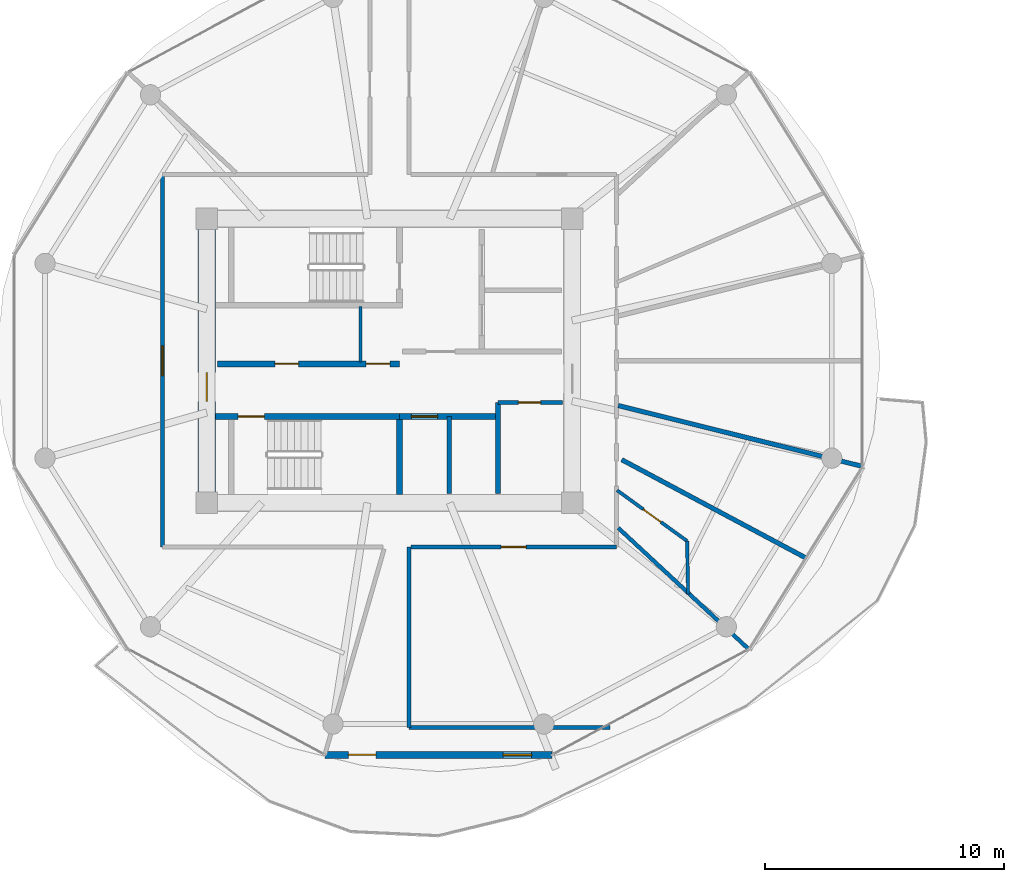
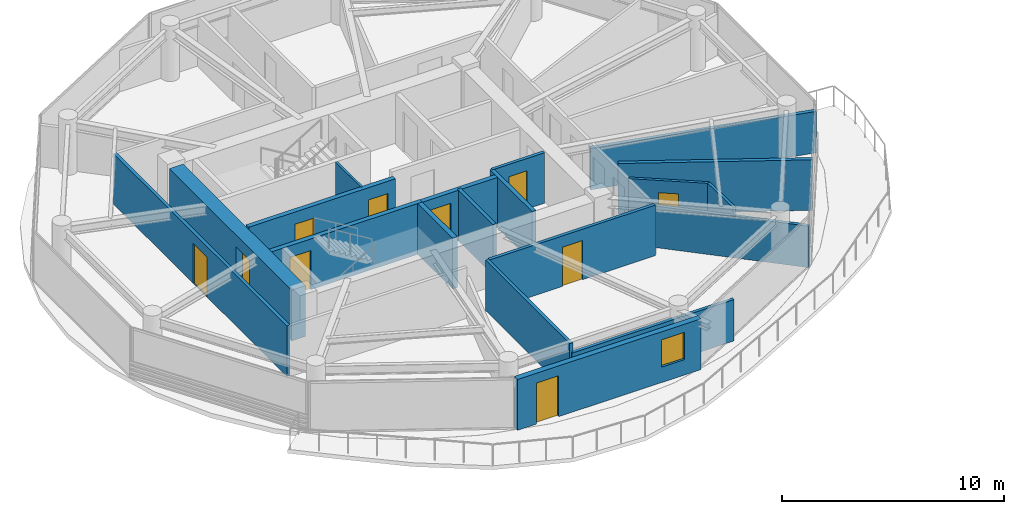
# One storey, part 13 of 24: 19 walls, 10 doors, 1 window, 11 openings.
"""IFC4 building model written with IfcOpenShell, lengths in metres."""

from ifc_helpers import new_model, si_unit, direction, frame, frame_2d, origin, place, context, subcontext, project, spatial, rectangle, extrude, source, transform, mapped, material, layer, layer_set, type_object, type_shapes, element, fill, save


model = new_model("IFC4")

# Units and contexts
model_context = context("Model", 3, precision=1e-05, world=origin(), true_north=direction((0.0, 1.0)))
body_context = subcontext(model_context, "Body", "Model", "MODEL_VIEW")
ifc_project = project(units=[si_unit("LENGTHUNIT", "METRE"), si_unit("AREAUNIT", "SQUARE_METRE"), si_unit("VOLUMEUNIT", "CUBIC_METRE"), si_unit("PLANEANGLEUNIT", "RADIAN"), si_unit("MASSUNIT", "GRAM", prefix="KILO")], contexts=[model_context])

# Site, building, storey
site_placement = place(None, origin())
site = spatial("IfcSite", under=ifc_project, at=site_placement, CompositionType="ELEMENT")
building_placement = place(site_placement, origin())
building = spatial("IfcBuilding", under=site, at=building_placement, Name="Norrkilde Senior Care Towers", CompositionType="ELEMENT")
storey_placement = place(building_placement, frame((0.0, 0.0, 117.60009765625)))
storey = spatial("IfcBuildingStorey", under=building, at=storey_placement, Name="L36", CompositionType="ELEMENT", Elevation=117.60009765625)

# Wall, opening, door
ifc_material_1 = material(Name="Concrete C60/75", Category="concrete")
ifc_layer_1 = layer(ifc_material_1, 0.719970703125)
ifc_layer_set_1 = layer_set([ifc_layer_1], Name="Concrete C60/75")
wall_type_1 = type_object("IfcWallType", Name="Core Shear Wall Z2 720", PredefinedType="SHEAR", material=ifc_layer_set_1)
shared_shape_1 = source(origin(), body_context, "Body", "SweptSolid", [
    extrude(rectangle(XDim=11.0, YDim=0.719970703125, at=frame_2d((5.5, 0.0))), origin(), (0.0, 0.0, 1.0), 2.789794921875),
])
type_shapes(wall_type_1, [shared_shape_1])
wall_1_placement = place(storey_placement, frame((-35.64990234375, -5.5, 0.0), z_axis=(0.0, 0.0, 1.0), x_axis=(0.0, 1.0, 0.0)))
wall_1 = element("IfcWall", 1, at=wall_1_placement, inside=storey, type_object=wall_type_1, Name="L36 Core W West Shear Wall", PredefinedType="SHEAR", context=body_context, shape_type="MappedRepresentation", body=[
    mapped(shared_shape_1, transform((0.0, 0.0, 0.0), x_axis=(1.0, 0.0, 0.0), y_axis=(0.0, 1.0, 0.0), z_axis=(0.0, 0.0, 1.0), scale=1.0)),
])
opening_1_placement = place(wall_1_placement, frame((3.800048828125, 0.0, 0.0)))
opening_1 = element("IfcOpeningElement", 2, at=opening_1_placement, cuts=wall_1, Name="Opening D-04", PredefinedType="OPENING", context=body_context, shape_type="SweptSolid", body=[
    extrude(rectangle(XDim=1.199951171875, YDim=2.14990234375, at=frame_2d((0.60009765625, 1.074951171875))), frame((0.0, 0.369873046875, 0.0), z_axis=(0.0, -1.0, 0.0), x_axis=(1.0, 0.0, 0.0)), (0.0, 0.0, 1.0), 0.739990234375),
])
ifc_material_2 = material(Name="Galvanised Painted Steel", Category="steel")
door_type_1 = type_object("IfcDoorType", Name="Firefighting Lobby Fire Door 1200x2150", OperationType="NOTDEFINED", PredefinedType="DOOR", material=ifc_material_2)
shared_shape_2 = source(origin(), body_context, "Body", "SweptSolid", [
    extrude(rectangle(XDim=1.199951171875, YDim=2.14990234375, at=frame_2d((0.60009765625, 1.074951171875))), frame((0.0, 0.02490234375, 0.0), z_axis=(0.0, -1.0, 0.0), x_axis=(1.0, 0.0, 0.0)), (0.0, 0.0, 1.0), 0.050048828125),
])
type_shapes(door_type_1, [shared_shape_2])
door_1_placement = place(opening_1_placement, frame((1.199951171875, 0.0, 0.0), z_axis=(0.0, 0.0, 1.0), x_axis=(-1.0, 0.0, 0.0)))
door_1 = element("IfcDoor", 3, at=door_1_placement, inside=storey, type_object=door_type_1, Name="L36 Core W West Portal Door", OperationType="SINGLE_SWING_LEFT", OverallHeight=2.14990234375, OverallWidth=1.199951171875, PredefinedType="DOOR", context=body_context, shape_type="MappedRepresentation", body=[
    mapped(shared_shape_2, transform((0.0, 0.0, 0.0), x_axis=(1.0, 0.0, 0.0), y_axis=(0.0, 1.0, 0.0), z_axis=(0.0, 0.0, 1.0), scale=1.0)),
])
fill(opening_1, door_1)

# Wall, openings, door, window
ifc_material_3 = material(Name="Precast concrete C45/55", Category="concrete")
ifc_layer_2 = layer(ifc_material_3, 0.2900390625)
ifc_layer_set_2 = layer_set([ifc_layer_2], Name="Precast concrete C45/55")
wall_type_2 = type_object("IfcWallType", Name="Winter Garden Facade Wall 290", PredefinedType="SOLIDWALL", material=ifc_layer_set_2)
shared_shape_3 = source(origin(), body_context, "Body", "SweptSolid", [
    extrude(rectangle(XDim=9.51416015625, YDim=0.2900390625, at=frame_2d((4.757080078125, 0.0))), origin(), (0.0, 0.0, 1.0), 2.789794921875),
])
type_shapes(wall_type_2, [shared_shape_3])
wall_2_placement = place(storey_placement, frame((-21.19287109375, -16.498046875, 0.0), z_axis=(0.0, 0.0, 1.0), x_axis=(-1.0, 0.0, 0.0)))
wall_2 = element("IfcWall", 4, at=wall_2_placement, inside=storey, type_object=wall_type_2, Name="L36 Drum W Balcony Access Wall 08", PredefinedType="SOLIDWALL", context=body_context, shape_type="MappedRepresentation", body=[
    mapped(shared_shape_3, transform((0.0, 0.0, 0.0), x_axis=(1.0, 0.0, 0.0), y_axis=(0.0, 1.0, 0.0), z_axis=(0.0, 0.0, 1.0), scale=1.0)),
])
opening_2_placement = place(wall_2_placement, frame((7.3798828125, 0.0, 0.0)))
opening_2 = element("IfcOpeningElement", 5, at=opening_2_placement, cuts=wall_2, Name="Opening D-09", PredefinedType="OPENING", context=body_context, shape_type="SweptSolid", body=[
    extrude(rectangle(XDim=1.14990234375, YDim=2.25, at=frame_2d((0.574951171875, 1.125))), frame((0.0, 0.155029296875, 0.0), z_axis=(0.0, -1.0, 0.0), x_axis=(1.0, 0.0, 0.0)), (0.0, 0.0, 1.0), 0.31005859375),
])
opening_3_placement = place(wall_2_placement, frame((0.85009765625, 0.0, 0.85009765625)))
opening_3 = element("IfcOpeningElement", 6, at=opening_3_placement, cuts=wall_2, Name="Opening WN-07", PredefinedType="OPENING", context=body_context, shape_type="SweptSolid", body=[
    extrude(rectangle(XDim=1.199951171875, YDim=1.5, at=frame_2d((0.60009765625, 0.75))), frame((0.0, 0.155029296875, 0.0), z_axis=(0.0, -1.0, 0.0), x_axis=(1.0, 0.0, 0.0)), (0.0, 0.0, 1.0), 0.31005859375),
])
ifc_material_4 = material(Name="Anodised Aluminium", Category="aluminium")
door_type_2 = type_object("IfcDoorType", Name="Terrace and Balcony Glazed Door 1150x2250", OperationType="NOTDEFINED", PredefinedType="DOOR", material=ifc_material_4)
shared_shape_4 = source(origin(), body_context, "Body", "SweptSolid", [
    extrude(rectangle(XDim=1.14990234375, YDim=2.25, at=frame_2d((0.574951171875, 1.125))), frame((0.0, 0.02490234375, 0.0), z_axis=(0.0, -1.0, 0.0), x_axis=(1.0, 0.0, 0.0)), (0.0, 0.0, 1.0), 0.050048828125),
])
type_shapes(door_type_2, [shared_shape_4])
door_2_placement = place(opening_2_placement, origin())
door_2 = element("IfcDoor", 7, at=door_2_placement, inside=storey, type_object=door_type_2, Name="L36 Drum W Outdoor Terrace Door 08", OperationType="SINGLE_SWING_LEFT", OverallHeight=2.25, OverallWidth=1.14990234375, PredefinedType="DOOR", context=body_context, shape_type="MappedRepresentation", body=[
    mapped(shared_shape_4, transform((0.0, 0.0, 0.0), x_axis=(1.0, 0.0, 0.0), y_axis=(0.0, 1.0, 0.0), z_axis=(0.0, 0.0, 1.0), scale=1.0)),
])
fill(opening_2, door_2)
ifc_material_5 = material(Name="Triple Low-E Insulated Glazing", Category="glass")
window_type = type_object("IfcWindowType", Name="Stairwell Smoke Vent Window 1200x1500", PartitioningType="SINGLE_PANEL", PredefinedType="WINDOW", material=ifc_material_5)
shared_shape_5 = source(origin(), body_context, "Body", "SweptSolid", [
    extrude(rectangle(XDim=1.199951171875, YDim=1.5, at=frame_2d((0.60009765625, 0.75))), frame((0.0, 0.030029296875, 0.0), z_axis=(0.0, -1.0, 0.0), x_axis=(1.0, 0.0, 0.0)), (0.0, 0.0, 1.0), 0.06005859375),
])
type_shapes(window_type, [shared_shape_5])
window_placement = place(opening_3_placement, origin())
window = element("IfcWindow", 8, at=window_placement, inside=storey, type_object=window_type, Name="L36 Drum W Winter Garden Window 08", OverallHeight=1.5, OverallWidth=1.199951171875, PartitioningType="SINGLE_PANEL", PredefinedType="WINDOW", context=body_context, shape_type="MappedRepresentation", body=[
    mapped(shared_shape_5, transform((0.0, 0.0, 0.0), x_axis=(1.0, 0.0, 0.0), y_axis=(0.0, 1.0, 0.0), z_axis=(0.0, 0.0, 1.0), scale=1.0)),
])
fill(opening_3, window)

# Wall, openings, doors
ifc_material_6 = material(Name="Concrete C45/55", Category="concrete")
ifc_layer_3 = layer(ifc_material_6, 0.239990234375)
ifc_layer_set_3 = layer_set([ifc_layer_3], Name="Concrete C45/55")
wall_type_3 = type_object("IfcWallType", Name="Lift and Plant Rated Enclosure Partition 240", PredefinedType="PARTITIONING", material=ifc_layer_set_3)
shared_shape_6 = source(origin(), body_context, "Body", "SweptSolid", [
    extrude(rectangle(XDim=7.619873046875, YDim=0.239990234375, at=frame_2d((3.81005859375, 0.0))), origin(), (0.0, 0.0, 1.0), 2.77490234375),
])
wall_3_placement = place(storey_placement, frame((-35.199951171875, -0.1298828125, 0.0), z_axis=(0.0, 0.0, 1.0), x_axis=(1.0, 0.0, 0.0)))
wall_3 = element("IfcWall", 9, at=wall_3_placement, inside=storey, type_object=wall_type_3, Name="WL-INT-L36-W-PKAS", PredefinedType="PARTITIONING", context=body_context, shape_type="MappedRepresentation", body=[
    mapped(shared_shape_6, transform((0.0, 0.0, 0.0), x_axis=(1.0, 0.0, 0.0), y_axis=(0.0, 1.0, 0.0), z_axis=(0.0, 0.0, 1.0), scale=1.0)),
])
opening_4_placement = place(wall_3_placement, frame((6.219970703125, 0.0, 0.0)))
opening_4 = element("IfcOpeningElement", 10, at=opening_4_placement, cuts=wall_3, Name="Opening D-10", PredefinedType="OPENING", context=body_context, shape_type="SweptSolid", body=[
    extrude(rectangle(XDim=1.0, YDim=2.10009765625, at=frame_2d((0.5, 1.050048828125))), frame((0.0, 0.1298828125, 0.0), z_axis=(0.0, -1.0, 0.0), x_axis=(1.0, 0.0, 0.0)), (0.0, 0.0, 1.0), 0.260009765625),
])
opening_5_placement = place(wall_3_placement, frame((2.39990234375, 0.0, 0.0)))
opening_5 = element("IfcOpeningElement", 11, at=opening_5_placement, cuts=wall_3, Name="Opening D-10", PredefinedType="OPENING", context=body_context, shape_type="SweptSolid", body=[
    extrude(rectangle(XDim=1.0, YDim=2.10009765625, at=frame_2d((0.5, 1.050048828125))), frame((0.0, 0.1298828125, 0.0), z_axis=(0.0, -1.0, 0.0), x_axis=(1.0, 0.0, 0.0)), (0.0, 0.0, 1.0), 0.260009765625),
])
door_type_3 = type_object("IfcDoorType", Name="Plant and Riser Rated Door 1000x2100", OperationType="NOTDEFINED", PredefinedType="DOOR", material=ifc_material_2)
shared_shape_7 = source(origin(), body_context, "Body", "SweptSolid", [
    extrude(rectangle(XDim=1.0, YDim=2.10009765625, at=frame_2d((0.5, 1.050048828125))), frame((0.0, 0.02490234375, 0.0), z_axis=(0.0, -1.0, 0.0), x_axis=(1.0, 0.0, 0.0)), (0.0, 0.0, 1.0), 0.050048828125),
])
type_shapes(door_type_3, [shared_shape_7])
door_3_placement = place(opening_4_placement, frame((1.0, 0.0, 0.0), z_axis=(0.0, 0.0, 1.0), x_axis=(-1.0, 0.0, 0.0)))
door_3 = element("IfcDoor", 12, at=door_3_placement, inside=storey, type_object=door_type_3, Name="L36 Electrical Riser W Door", OperationType="SINGLE_SWING_LEFT", OverallHeight=2.10009765625, OverallWidth=1.0, PredefinedType="DOOR", context=body_context, shape_type="MappedRepresentation", body=[
    mapped(shared_shape_7, transform((0.0, 0.0, 0.0), x_axis=(1.0, 0.0, 0.0), y_axis=(0.0, 1.0, 0.0), z_axis=(0.0, 0.0, 1.0), scale=1.0)),
])
fill(opening_4, door_3)
door_4_placement = place(opening_5_placement, frame((1.0, 0.0, 0.0), z_axis=(0.0, 0.0, 1.0), x_axis=(-1.0, 0.0, 0.0)))
door_4 = element("IfcDoor", 13, at=door_4_placement, inside=storey, type_object=door_type_3, Name="L36 Clean Supply Store W Door", OperationType="SINGLE_SWING_LEFT", OverallHeight=2.10009765625, OverallWidth=1.0, PredefinedType="DOOR", context=body_context, shape_type="MappedRepresentation", body=[
    mapped(shared_shape_7, transform((0.0, 0.0, 0.0), x_axis=(1.0, 0.0, 0.0), y_axis=(0.0, 1.0, 0.0), z_axis=(0.0, 0.0, 1.0), scale=1.0)),
])
fill(opening_5, door_4)

# Walls
ifc_material_7 = material(Name="Gypsum Acoustic Board")
ifc_layer_4 = layer(ifc_material_7, 0.114990234375)
ifc_layer_set_4 = layer_set([ifc_layer_4], Name="Gypsum Acoustic Board")
wall_type_4 = type_object("IfcWallType", Name="Internal Room Partition 115", PredefinedType="PARTITIONING", material=ifc_layer_set_4)
shared_shape_8 = source(origin(), body_context, "Body", "SweptSolid", [
    extrude(rectangle(XDim=2.330078125, YDim=0.114990234375, at=frame_2d((1.1650390625, 0.0))), origin(), (0.0, 0.0, 1.0), 2.77490234375),
])
type_shapes(wall_type_4, [shared_shape_8])
wall_4_placement = place(storey_placement, frame((-29.2099609375, -0.050048828125, 0.0), z_axis=(0.0, 0.0, 1.0), x_axis=(0.0, 1.0, 0.0)))
element("IfcWall", 14, at=wall_4_placement, inside=storey, type_object=wall_type_4, Name="WL-INT-L36-W-RISW", PredefinedType="PARTITIONING", context=body_context, shape_type="MappedRepresentation", body=[
    mapped(shared_shape_8, transform((0.0, 0.0, 0.0), x_axis=(1.0, 0.0, 0.0), y_axis=(0.0, 1.0, 0.0), z_axis=(0.0, 0.0, 1.0), scale=1.0)),
])
ifc_layer_5 = layer(ifc_material_6, 0.199951171875)
ifc_layer_set_5 = layer_set([ifc_layer_5], Name="Concrete C45/55")
wall_type_5 = type_object("IfcWallType", Name="Shaft Division and Plant Partition 200", PredefinedType="PARTITIONING", material=ifc_layer_set_5)
shared_shape_9 = source(origin(), body_context, "Body", "SweptSolid", [
    extrude(rectangle(XDim=3.800048828125, YDim=0.199951171875, at=frame_2d((1.89990234375, 0.0))), origin(), (0.0, 0.0, 1.0), 2.77490234375),
])
type_shapes(wall_type_5, [shared_shape_9])
wall_5_placement = place(storey_placement, frame((-23.449951171875, -5.550048828125, 0.0), z_axis=(0.0, 0.0, 1.0), x_axis=(0.0, 1.0, 0.0)))
element("IfcWall", 15, at=wall_5_placement, inside=storey, type_object=wall_type_5, Name="WL-INT-L36-W-PKBE", PredefinedType="PARTITIONING", context=body_context, shape_type="MappedRepresentation", body=[
    mapped(shared_shape_9, transform((0.0, 0.0, 0.0), x_axis=(1.0, 0.0, 0.0), y_axis=(0.0, 1.0, 0.0), z_axis=(0.0, 0.0, 1.0), scale=1.0)),
])

# Wall, opening, door
shared_shape_10 = source(origin(), body_context, "Body", "SweptSolid", [
    extrude(rectangle(XDim=4.130126953125, YDim=0.239990234375, at=frame_2d((2.06494140625, 0.0))), origin(), (0.0, 0.0, 1.0), 2.77490234375),
])
type_shapes(wall_type_3, [shared_shape_6, shared_shape_10])
wall_6_placement = place(storey_placement, frame((-27.580078125, -2.330078125, 0.0), z_axis=(0.0, 0.0, 1.0), x_axis=(1.0, 0.0, 0.0)))
wall_6 = element("IfcWall", 16, at=wall_6_placement, inside=storey, type_object=wall_type_3, Name="WL-INT-L36-W-PKBN", PredefinedType="PARTITIONING", context=body_context, shape_type="MappedRepresentation", body=[
    mapped(shared_shape_10, transform((0.0, 0.0, 0.0), x_axis=(1.0, 0.0, 0.0), y_axis=(0.0, 1.0, 0.0), z_axis=(0.0, 0.0, 1.0), scale=1.0)),
])
opening_6_placement = place(wall_6_placement, frame((0.5, 0.0, 0.0)))
opening_6 = element("IfcOpeningElement", 17, at=opening_6_placement, cuts=wall_6, Name="Opening LD-01", PredefinedType="OPENING", context=body_context, shape_type="SweptSolid", body=[
    extrude(rectangle(XDim=1.10009765625, YDim=2.199951171875, at=frame_2d((0.550048828125, 1.10009765625))), frame((0.0, 0.1298828125, 0.0), z_axis=(0.0, -1.0, 0.0), x_axis=(1.0, 0.0, 0.0)), (0.0, 0.0, 1.0), 0.260009765625),
])
ifc_material_8 = material(Name="Stainless Steel", Category="steel")
door_type_4 = type_object("IfcDoorType", Name="Lift Landing Sliding Door 1100x2200", OperationType="NOTDEFINED", PredefinedType="DOOR", material=ifc_material_8)
shared_shape_11 = source(origin(), body_context, "Body", "SweptSolid", [
    extrude(rectangle(XDim=1.10009765625, YDim=2.199951171875, at=frame_2d((0.550048828125, 1.10009765625))), frame((0.0, 0.02490234375, 0.0), z_axis=(0.0, -1.0, 0.0), x_axis=(1.0, 0.0, 0.0)), (0.0, 0.0, 1.0), 0.050048828125),
])
type_shapes(door_type_4, [shared_shape_11])
door_5_placement = place(opening_6_placement, frame((1.10009765625, 0.0, 0.0), z_axis=(0.0, 0.0, 1.0), x_axis=(-1.0, 0.0, 0.0)))
door_5 = element("IfcDoor", 18, at=door_5_placement, inside=storey, type_object=door_type_4, Name="L36 Passenger Lift W3 Landing Door", OperationType="SLIDING_TO_LEFT", OverallHeight=2.199951171875, OverallWidth=1.10009765625, PredefinedType="DOOR", context=body_context, shape_type="MappedRepresentation", body=[
    mapped(shared_shape_11, transform((0.0, 0.0, 0.0), x_axis=(1.0, 0.0, 0.0), y_axis=(0.0, 1.0, 0.0), z_axis=(0.0, 0.0, 1.0), scale=1.0)),
])
fill(opening_6, door_5)

# Wall
ifc_layer_6 = layer(ifc_material_6, 0.179931640625)
ifc_layer_set_6 = layer_set([ifc_layer_6], Name="Concrete C45/55")
wall_type_6 = type_object("IfcWallType", Name="Hoistway Division Rated Partition 180", PredefinedType="PARTITIONING", material=ifc_layer_set_6)
shared_shape_12 = source(origin(), body_context, "Body", "SweptSolid", [
    extrude(rectangle(XDim=3.219970703125, YDim=0.179931640625, at=frame_2d((1.60986328125, 0.0))), origin(), (0.0, 0.0, 1.0), 2.77490234375),
])
type_shapes(wall_type_6, [shared_shape_12])
wall_7_placement = place(storey_placement, frame((-25.5, -5.550048828125, 0.0), z_axis=(0.0, 0.0, 1.0), x_axis=(0.0, 1.0, 0.0)))
element("IfcWall", 19, at=wall_7_placement, inside=storey, type_object=wall_type_6, Name="WL-INT-L36-W-PL34", PredefinedType="PARTITIONING", context=body_context, shape_type="MappedRepresentation", body=[
    mapped(shared_shape_12, transform((0.0, 0.0, 0.0), x_axis=(1.0, 0.0, 0.0), y_axis=(0.0, 1.0, 0.0), z_axis=(0.0, 0.0, 1.0), scale=1.0)),
])

# Wall, opening, door
ifc_layer_7 = layer(ifc_material_7, 0.1650390625)
ifc_layer_set_7 = layer_set([ifc_layer_7], Name="Gypsum Acoustic Board")
wall_type_7 = type_object("IfcWallType", Name="Corridor Rated Partition 165", PredefinedType="PARTITIONING", material=ifc_layer_set_7)
shared_shape_13 = source(origin(), body_context, "Body", "SweptSolid", [
    extrude(rectangle(XDim=2.699951171875, YDim=0.1650390625, at=frame_2d((1.35009765625, 0.0))), origin(), (0.0, 0.0, 1.0), 2.77490234375),
])
wall_8_placement = place(storey_placement, frame((-23.449951171875, -1.75, 0.0), z_axis=(0.0, 0.0, 1.0), x_axis=(1.0, 0.0, 0.0)))
wall_8 = element("IfcWall", 20, at=wall_8_placement, inside=storey, type_object=wall_type_7, Name="WL-INT-L36-W-CSN", PredefinedType="PARTITIONING", context=body_context, shape_type="MappedRepresentation", body=[
    mapped(shared_shape_13, transform((0.0, 0.0, 0.0), x_axis=(1.0, 0.0, 0.0), y_axis=(0.0, 1.0, 0.0), z_axis=(0.0, 0.0, 1.0), scale=1.0)),
])
opening_7_placement = place(wall_8_placement, frame((0.85009765625, 0.0, 0.0)))
opening_7 = element("IfcOpeningElement", 21, at=opening_7_placement, cuts=wall_8, Name="Opening D-12", PredefinedType="OPENING", context=body_context, shape_type="SweptSolid", body=[
    extrude(rectangle(XDim=0.925048828125, YDim=2.10009765625, at=frame_2d((0.46240234375, 1.050048828125))), frame((0.0, 0.092529296875, 0.0), z_axis=(0.0, -1.0, 0.0), x_axis=(1.0, 0.0, 0.0)), (0.0, 0.0, 1.0), 0.18505859375),
])
door_type_5 = type_object("IfcDoorType", Name="Core Wet Room Rated Door 925x2100", OperationType="NOTDEFINED", PredefinedType="DOOR", material=ifc_material_2)
shared_shape_14 = source(origin(), body_context, "Body", "SweptSolid", [
    extrude(rectangle(XDim=0.925048828125, YDim=2.10009765625, at=frame_2d((0.46240234375, 1.050048828125))), frame((0.0, 0.02490234375, 0.0), z_axis=(0.0, -1.0, 0.0), x_axis=(1.0, 0.0, 0.0)), (0.0, 0.0, 1.0), 0.050048828125),
])
type_shapes(door_type_5, [shared_shape_14])
door_6_placement = place(opening_7_placement, origin())
door_6 = element("IfcDoor", 22, at=door_6_placement, inside=storey, type_object=door_type_5, Name="L36 Core Utility W Door", OperationType="SINGLE_SWING_LEFT", OverallHeight=2.10009765625, OverallWidth=0.925048828125, PredefinedType="DOOR", context=body_context, shape_type="MappedRepresentation", body=[
    mapped(shared_shape_14, transform((0.0, 0.0, 0.0), x_axis=(1.0, 0.0, 0.0), y_axis=(0.0, 1.0, 0.0), z_axis=(0.0, 0.0, 1.0), scale=1.0)),
])
fill(opening_7, door_6)

shared_shape_15 = source(origin(), body_context, "Body", "SweptSolid", [
    extrude(rectangle(XDim=15.60009765625, YDim=0.1650390625, at=frame_2d((7.800048828125, 0.0))), origin(), (0.0, 0.0, 1.0), 2.77490234375),
])
wall_9_placement = place(storey_placement, frame((-37.5, -7.800048828125, 0.0), z_axis=(0.0, 0.0, 1.0), x_axis=(0.0, 1.0, 0.0)))
wall_9 = element("IfcWall", 23, at=wall_9_placement, inside=storey, type_object=wall_type_7, Name="WL-INT-L36-W-CRW-W-0", PredefinedType="PARTITIONING", context=body_context, shape_type="MappedRepresentation", body=[
    mapped(shared_shape_15, transform((0.0, 0.0, 0.0), x_axis=(1.0, 0.0, 0.0), y_axis=(0.0, 1.0, 0.0), z_axis=(0.0, 0.0, 1.0), scale=1.0)),
])
opening_8_placement = place(wall_9_placement, frame((7.175048828125, 0.0, 0.0)))
opening_8 = element("IfcOpeningElement", 24, at=opening_8_placement, cuts=wall_9, Name="Opening D-05", PredefinedType="OPENING", context=body_context, shape_type="SweptSolid", body=[
    extrude(rectangle(XDim=1.25, YDim=2.199951171875, at=frame_2d((0.625, 1.10009765625))), frame((0.0, 0.092529296875, 0.0), z_axis=(0.0, -1.0, 0.0), x_axis=(1.0, 0.0, 0.0)), (0.0, 0.0, 1.0), 0.18505859375),
])
ifc_material_9 = material(Name="Nordic Ash Timber", Category="wood")
door_type_6 = type_object("IfcDoorType", Name="Care Bedroom Bariatric Door 1250x2200", OperationType="NOTDEFINED", PredefinedType="DOOR", material=ifc_material_9)
shared_shape_16 = source(origin(), body_context, "Body", "SweptSolid", [
    extrude(rectangle(XDim=1.25, YDim=2.199951171875, at=frame_2d((0.625, 1.10009765625))), frame((0.0, 0.02490234375, 0.0), z_axis=(0.0, -1.0, 0.0), x_axis=(1.0, 0.0, 0.0)), (0.0, 0.0, 1.0), 0.050048828125),
])
type_shapes(door_type_6, [shared_shape_16])
door_7_placement = place(opening_8_placement, frame((1.25, 0.0, 0.0), z_axis=(0.0, 0.0, 1.0), x_axis=(-1.0, 0.0, 0.0)))
door_7 = element("IfcDoor", 25, at=door_7_placement, inside=storey, type_object=door_type_6, Name="L36 Geriatric Rehabilitation Clinic Door", OperationType="SINGLE_SWING_LEFT", OverallHeight=2.199951171875, OverallWidth=1.25, PredefinedType="DOOR", context=body_context, shape_type="MappedRepresentation", body=[
    mapped(shared_shape_16, transform((0.0, 0.0, 0.0), x_axis=(1.0, 0.0, 0.0), y_axis=(0.0, 1.0, 0.0), z_axis=(0.0, 0.0, 1.0), scale=1.0)),
])
fill(opening_8, door_7)

shared_shape_17 = source(origin(), body_context, "Body", "SweptSolid", [
    extrude(rectangle(XDim=8.60009765625, YDim=0.1650390625, at=frame_2d((4.300048828125, 0.0))), origin(), (0.0, 0.0, 1.0), 2.77490234375),
])
wall_10_placement = place(storey_placement, frame((-18.5, -7.800048828125, 0.0), z_axis=(0.0, 0.0, 1.0), x_axis=(-1.0, 0.0, 0.0)))
wall_10 = element("IfcWall", 26, at=wall_10_placement, inside=storey, type_object=wall_type_7, Name="WL-INT-L36-W-CRW-S-0", PredefinedType="PARTITIONING", context=body_context, shape_type="MappedRepresentation", body=[
    mapped(shared_shape_17, transform((0.0, 0.0, 0.0), x_axis=(1.0, 0.0, 0.0), y_axis=(0.0, 1.0, 0.0), z_axis=(0.0, 0.0, 1.0), scale=1.0)),
])
opening_9_placement = place(wall_10_placement, frame((3.77490234375, 0.0, 0.0)))
opening_9 = element("IfcOpeningElement", 27, at=opening_9_placement, cuts=wall_10, Name="Opening D-06", PredefinedType="OPENING", context=body_context, shape_type="SweptSolid", body=[
    extrude(rectangle(XDim=1.050048828125, YDim=2.14990234375, at=frame_2d((0.52490234375, 1.074951171875))), frame((0.0, 0.092529296875, 0.0), z_axis=(0.0, -1.0, 0.0), x_axis=(1.0, 0.0, 0.0)), (0.0, 0.0, 1.0), 0.18505859375),
])
door_type_7 = type_object("IfcDoorType", Name="Apartment Entrance Fire Door 1050x2150", OperationType="NOTDEFINED", PredefinedType="DOOR", material=ifc_material_9)
shared_shape_18 = source(origin(), body_context, "Body", "SweptSolid", [
    extrude(rectangle(XDim=1.050048828125, YDim=2.14990234375, at=frame_2d((0.52490234375, 1.074951171875))), frame((0.0, 0.02490234375, 0.0), z_axis=(0.0, -1.0, 0.0), x_axis=(1.0, 0.0, 0.0)), (0.0, 0.0, 1.0), 0.050048828125),
])
type_shapes(door_type_7, [shared_shape_18])
door_8_placement = place(opening_9_placement, frame((1.050048828125, 0.0, 0.0), z_axis=(0.0, 0.0, 1.0), x_axis=(-1.0, 0.0, 0.0)))
door_8 = element("IfcDoor", 28, at=door_8_placement, inside=storey, type_object=door_type_7, Name="L36 Reading Lounge SEL Door", OperationType="SINGLE_SWING_RIGHT", OverallHeight=2.14990234375, OverallWidth=1.050048828125, PredefinedType="DOOR", context=body_context, shape_type="MappedRepresentation", body=[
    mapped(shared_shape_18, transform((0.0, 0.0, 0.0), x_axis=(1.0, 0.0, 0.0), y_axis=(0.0, 1.0, 0.0), z_axis=(0.0, 0.0, 1.0), scale=1.0)),
])
fill(opening_9, door_8)

# Walls
shared_shape_19 = source(origin(), body_context, "Body", "SweptSolid", [
    extrude(rectangle(XDim=7.482177734375, YDim=0.1650390625, at=frame_2d((3.7412109375, 0.0))), origin(), (0.0, 0.0, 1.0), 2.27490234375),
])
wall_11_placement = place(storey_placement, frame((-18.419921875, -6.998046875, 0.0), z_axis=(0.0, 0.0, 1.0), x_axis=(0.732508698043, -0.680757671489, 0.0)))
element("IfcWall", 29, at=wall_11_placement, inside=storey, type_object=wall_type_7, Name="WL-INT-L36-W-DEM-10-0", PredefinedType="PARTITIONING", context=body_context, shape_type="MappedRepresentation", body=[
    mapped(shared_shape_19, transform((0.0, 0.0, 0.0), x_axis=(1.0, 0.0, 0.0), y_axis=(0.0, 1.0, 0.0), z_axis=(0.0, 0.0, 1.0), scale=1.0)),
])
shared_shape_20 = source(origin(), body_context, "Body", "SweptSolid", [
    extrude(rectangle(XDim=7.56005859375, YDim=0.1650390625, at=frame_2d((3.780029296875, 0.0))), origin(), (0.0, 0.0, 1.0), 2.77490234375),
])
wall_12_placement = place(storey_placement, frame((-27.179931640625, -15.360107421875, 0.0), z_axis=(0.0, 0.0, 1.0), x_axis=(0.0, 1.0, 0.0)))
element("IfcWall", 30, at=wall_12_placement, inside=storey, type_object=wall_type_7, Name="WL-INT-L36-W-PKW-SEL", PredefinedType="PARTITIONING", context=body_context, shape_type="MappedRepresentation", body=[
    mapped(shared_shape_20, transform((0.0, 0.0, 0.0), x_axis=(1.0, 0.0, 0.0), y_axis=(0.0, 1.0, 0.0), z_axis=(0.0, 0.0, 1.0), scale=1.0)),
])
shared_shape_21 = source(origin(), body_context, "Body", "SweptSolid", [
    extrude(rectangle(XDim=8.406982421875, YDim=0.1650390625, at=frame_2d((4.20361328125, 0.0))), origin(), (0.0, 0.0, 1.0), 2.27490234375),
])
type_shapes(wall_type_7, [shared_shape_13, shared_shape_15, shared_shape_17, shared_shape_19, shared_shape_20, shared_shape_21])
wall_13_placement = place(storey_placement, frame((-27.179931640625, -15.360107421875, 0.0), z_axis=(0.0, 0.0, 1.0), x_axis=(1.0, 0.0, 0.0)))
element("IfcWall", 31, at=wall_13_placement, inside=storey, type_object=wall_type_7, Name="WL-INT-L36-W-PKH-SEL-0", PredefinedType="PARTITIONING", context=body_context, shape_type="MappedRepresentation", body=[
    mapped(shared_shape_21, transform((0.0, 0.0, 0.0), x_axis=(1.0, 0.0, 0.0), y_axis=(0.0, 1.0, 0.0), z_axis=(0.0, 0.0, 1.0), scale=1.0)),
])
ifc_layer_8 = layer(ifc_material_7, 0.18994140625)
ifc_layer_set_8 = layer_set([ifc_layer_8], Name="Gypsum Acoustic Board")
wall_type_8 = type_object("IfcWallType", Name="Unit Demising Acoustic Wall 190", PredefinedType="PARTITIONING", material=ifc_layer_set_8)
shared_shape_22 = source(origin(), body_context, "Body", "SweptSolid", [
    extrude(rectangle(XDim=10.5556640625, YDim=0.18994140625, at=frame_2d((5.27783203125, 0.0))), origin(), (0.0, 0.0, 1.0), 2.27490234375),
])
wall_14_placement = place(storey_placement, frame((-18.419921875, -1.875, 0.0), z_axis=(0.0, 0.0, 1.0), x_axis=(0.970363857851, -0.241648470667, 0.0)))
element("IfcWall", 32, at=wall_14_placement, inside=storey, type_object=wall_type_8, Name="WL-INT-L36-W-DEM-11-0", PredefinedType="PARTITIONING", context=body_context, shape_type="MappedRepresentation", body=[
    mapped(shared_shape_22, transform((0.0, 0.0, 0.0), x_axis=(1.0, 0.0, 0.0), y_axis=(0.0, 1.0, 0.0), z_axis=(0.0, 0.0, 1.0), scale=1.0)),
])
shared_shape_23 = source(origin(), body_context, "Body", "SweptSolid", [
    extrude(rectangle(XDim=8.744384765625, YDim=0.18994140625, at=frame_2d((4.3720703125, 0.0))), origin(), (0.0, 0.0, 1.0), 2.77490234375),
])
type_shapes(wall_type_8, [shared_shape_22, shared_shape_23])
wall_15_placement = place(storey_placement, frame((-18.27294921875, -4.141845703125, 0.0), z_axis=(0.0, 0.0, 1.0), x_axis=(0.882252449936, -0.470776607938, 0.0)))
element("IfcWall", 33, at=wall_15_placement, inside=storey, type_object=wall_type_8, Name="WL-INT-L36-W-CMID-10", PredefinedType="PARTITIONING", context=body_context, shape_type="MappedRepresentation", body=[
    mapped(shared_shape_23, transform((0.0, 0.0, 0.0), x_axis=(1.0, 0.0, 0.0), y_axis=(0.0, 1.0, 0.0), z_axis=(0.0, 0.0, 1.0), scale=1.0)),
])

# Wall, opening, door
ifc_layer_9 = layer(ifc_material_7, 0.139892578125)
ifc_layer_set_9 = layer_set([ifc_layer_9], Name="Gypsum Acoustic Board")
wall_type_9 = type_object("IfcWallType", Name="En-suite Wet Room Wall 140", PredefinedType="PARTITIONING", material=ifc_layer_set_9)
shared_shape_24 = source(origin(), body_context, "Body", "SweptSolid", [
    extrude(rectangle(XDim=3.621337890625, YDim=0.139892578125, at=frame_2d((1.810546875, 0.0))), origin(), (0.0, 0.0, 1.0), 2.77490234375),
])
wall_16_placement = place(storey_placement, frame((-18.469970703125, -5.421875, 0.0), z_axis=(0.0, 0.0, 1.0), x_axis=(0.80968252222, -0.586868139544, 0.0)))
wall_16 = element("IfcWall", 34, at=wall_16_placement, inside=storey, type_object=wall_type_9, Name="WL-INT-L36-W-ES-10A", PredefinedType="PARTITIONING", context=body_context, shape_type="MappedRepresentation", body=[
    mapped(shared_shape_24, transform((0.0, 0.0, 0.0), x_axis=(1.0, 0.0, 0.0), y_axis=(0.0, 1.0, 0.0), z_axis=(0.0, 0.0, 1.0), scale=1.0)),
])
opening_10_placement = place(wall_16_placement, frame((1.3505859375, 0.0, 0.0)))
opening_10 = element("IfcOpeningElement", 35, at=opening_10_placement, cuts=wall_16, Name="Opening D-08", PredefinedType="OPENING", context=body_context, shape_type="SweptSolid", body=[
    extrude(rectangle(XDim=0.919921875, YDim=2.10009765625, at=frame_2d((0.4599609375, 1.050048828125))), frame((0.0, 0.079833984375, 0.0), z_axis=(0.0, -1.0, 0.0), x_axis=(1.0, 0.0, 0.0)), (0.0, 0.0, 1.0), 0.159912109375),
])
door_type_8 = type_object("IfcDoorType", Name="Accessible Wet Room Door 920x2100", OperationType="NOTDEFINED", PredefinedType="DOOR", material=ifc_material_9)
shared_shape_25 = source(origin(), body_context, "Body", "SweptSolid", [
    extrude(rectangle(XDim=0.919921875, YDim=2.10009765625, at=frame_2d((0.4599609375, 1.050048828125))), frame((0.0, 0.02490234375, 0.0), z_axis=(0.0, -1.0, 0.0), x_axis=(1.0, 0.0, 0.0)), (0.0, 0.0, 1.0), 0.050048828125),
])
type_shapes(door_type_8, [shared_shape_25])
door_9_placement = place(opening_10_placement, origin())
door_9 = element("IfcDoor", 36, at=door_9_placement, inside=storey, type_object=door_type_8, Name="L36 Care Suite 3610A Bathroom Door", OperationType="SINGLE_SWING_LEFT", OverallHeight=2.10009765625, OverallWidth=0.919921875, PredefinedType="DOOR", context=body_context, shape_type="MappedRepresentation", body=[
    mapped(shared_shape_25, transform((0.0, 0.0, 0.0), x_axis=(1.0, 0.0, 0.0), y_axis=(0.0, 1.0, 0.0), z_axis=(0.0, 0.0, 1.0), scale=1.0)),
])
fill(opening_10, door_9)

# Wall
shared_shape_26 = source(origin(), body_context, "Body", "SweptSolid", [
    extrude(rectangle(XDim=2.224853515625, YDim=0.139892578125, at=frame_2d((1.1123046875, 0.0))), origin(), (0.0, 0.0, 1.0), 2.77490234375),
])
type_shapes(wall_type_9, [shared_shape_24, shared_shape_26])
wall_17_placement = place(storey_placement, frame((-15.537841796875, -7.547119140625, 0.0), z_axis=(0.0, 0.0, 1.0), x_axis=(0.019971869027, -0.999800542332, 0.0)))
element("IfcWall", 37, at=wall_17_placement, inside=storey, type_object=wall_type_9, Name="WL-INT-L36-W-EF-10A", PredefinedType="PARTITIONING", context=body_context, shape_type="MappedRepresentation", body=[
    mapped(shared_shape_26, transform((0.0, 0.0, 0.0), x_axis=(1.0, 0.0, 0.0), y_axis=(0.0, 1.0, 0.0), z_axis=(0.0, 0.0, 1.0), scale=1.0)),
])

# Wall, opening, door
ifc_layer_10 = layer(ifc_material_6, 0.239990234375)
ifc_layer_set_10 = layer_set([ifc_layer_10], Name="Concrete C45/55")
wall_type_10 = type_object("IfcWallType", Name="Shaft and Stair Enclosure Wall 240", PredefinedType="PARTITIONING", material=ifc_layer_set_10)
shared_shape_27 = source(origin(), body_context, "Body", "SweptSolid", [
    extrude(rectangle(XDim=7.830078125, YDim=0.239990234375, at=frame_2d((3.9150390625, 0.0))), origin(), (0.0, 0.0, 1.0), 2.789794921875),
])
wall_18_placement = place(storey_placement, frame((-35.2900390625, -2.330078125, 0.0), z_axis=(0.0, 0.0, 1.0), x_axis=(1.0, 0.0, 0.0)))
wall_18 = element("IfcWall", 38, at=wall_18_placement, inside=storey, type_object=wall_type_10, Name="WL-INT-L36-W-ST2N", PredefinedType="PARTITIONING", context=body_context, shape_type="MappedRepresentation", body=[
    mapped(shared_shape_27, transform((0.0, 0.0, 0.0), x_axis=(1.0, 0.0, 0.0), y_axis=(0.0, 1.0, 0.0), z_axis=(0.0, 0.0, 1.0), scale=1.0)),
])
opening_11_placement = place(wall_18_placement, frame((0.949951171875, 0.0, 0.0)))
opening_11 = element("IfcOpeningElement", 39, at=opening_11_placement, cuts=wall_18, Name="Opening D-03", PredefinedType="OPENING", context=body_context, shape_type="SweptSolid", body=[
    extrude(rectangle(XDim=1.10009765625, YDim=2.14990234375, at=frame_2d((0.550048828125, 1.074951171875))), frame((0.0, 0.1298828125, 0.0), z_axis=(0.0, -1.0, 0.0), x_axis=(1.0, 0.0, 0.0)), (0.0, 0.0, 1.0), 0.260009765625),
])
door_type_9 = type_object("IfcDoorType", Name="Stairwell Protected Fire Door 1100x2150", OperationType="NOTDEFINED", PredefinedType="DOOR", material=ifc_material_2)
shared_shape_28 = source(origin(), body_context, "Body", "SweptSolid", [
    extrude(rectangle(XDim=1.10009765625, YDim=2.14990234375, at=frame_2d((0.550048828125, 1.074951171875))), frame((0.0, 0.02490234375, 0.0), z_axis=(0.0, -1.0, 0.0), x_axis=(1.0, 0.0, 0.0)), (0.0, 0.0, 1.0), 0.050048828125),
])
type_shapes(door_type_9, [shared_shape_28])
door_10_placement = place(opening_11_placement, frame((1.10009765625, 0.0, 0.0), z_axis=(0.0, 0.0, 1.0), x_axis=(-1.0, 0.0, 0.0)))
door_10 = element("IfcDoor", 40, at=door_10_placement, inside=storey, type_object=door_type_9, Name="L36 Stair W2 Fire Door", OperationType="SINGLE_SWING_RIGHT", OverallHeight=2.14990234375, OverallWidth=1.10009765625, PredefinedType="DOOR", context=body_context, shape_type="MappedRepresentation", body=[
    mapped(shared_shape_28, transform((0.0, 0.0, 0.0), x_axis=(1.0, 0.0, 0.0), y_axis=(0.0, 1.0, 0.0), z_axis=(0.0, 0.0, 1.0), scale=1.0)),
])
fill(opening_11, door_10)

# Wall
shared_shape_29 = source(origin(), body_context, "Body", "SweptSolid", [
    extrude(rectangle(XDim=3.14013671875, YDim=0.239990234375, at=frame_2d((1.570068359375, 0.0))), origin(), (0.0, 0.0, 1.0), 2.789794921875),
])
type_shapes(wall_type_10, [shared_shape_27, shared_shape_29])
wall_19_placement = place(storey_placement, frame((-27.580078125, -5.590087890625, 0.0), z_axis=(0.0, 0.0, 1.0), x_axis=(0.0, 1.0, 0.0)))
element("IfcWall", 41, at=wall_19_placement, inside=storey, type_object=wall_type_10, Name="WL-INT-L36-W-ST2E", PredefinedType="PARTITIONING", context=body_context, shape_type="MappedRepresentation", body=[
    mapped(shared_shape_29, transform((0.0, 0.0, 0.0), x_axis=(1.0, 0.0, 0.0), y_axis=(0.0, 1.0, 0.0), z_axis=(0.0, 0.0, 1.0), scale=1.0)),
])

save(model, "model.ifc")
